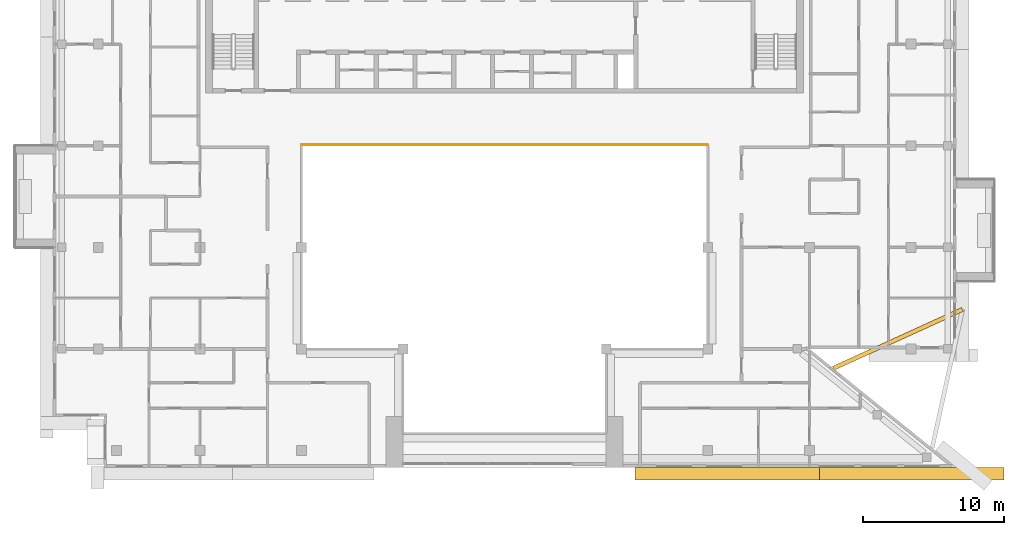
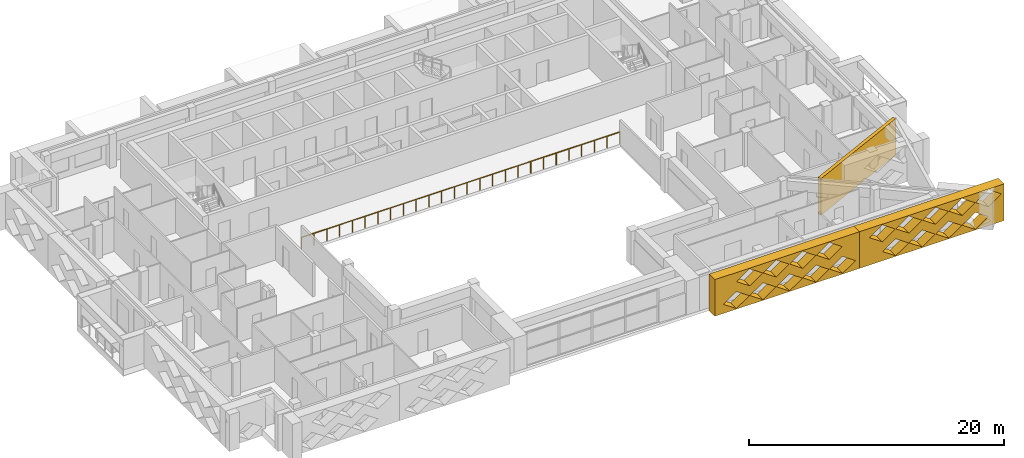
# One storey, part 14 of 18: 3 coverings, 1 railing.
"""IFC4 building model written with IfcOpenShell, lengths in metres."""

from ifc_helpers import new_model, si_unit, direction, frame, origin, origin_2d, place, context, subcontext, project, spatial, polyline, circle, outline, extrude, material, layer, layer_set, type_object, element, save


model = new_model("IFC4")

# Units and contexts
model_context = context("Model", 3, precision=1e-05, world=origin(), true_north=direction((0.0, 1.0)))
body_context = subcontext(model_context, "Body", "Model", "MODEL_VIEW")
ifc_project = project(units=[si_unit("LENGTHUNIT", "METRE"), si_unit("AREAUNIT", "SQUARE_METRE"), si_unit("VOLUMEUNIT", "CUBIC_METRE"), si_unit("PLANEANGLEUNIT", "RADIAN"), si_unit("MASSUNIT", "GRAM", prefix="KILO")], contexts=[model_context])

# Site, building, storey
site_placement = place(None, origin())
site = spatial("IfcSite", under=ifc_project, at=site_placement, CompositionType="ELEMENT")
building_placement = place(site_placement, origin())
building = spatial("IfcBuilding", under=site, at=building_placement, Name="Saffron Iwan Residences", CompositionType="ELEMENT")
storey_placement = place(building_placement, frame((0.0, 0.0, 257.0)))
storey = spatial("IfcBuildingStorey", under=building, at=storey_placement, Name="L69", CompositionType="ELEMENT", Elevation=257.0)

# Railing
ifc_material_1 = material(Name="Stainless steel 316", Category="steel")
railing_type = type_object("IfcRailingType", Name="Atrium guard 1150", PredefinedType="GUARDRAIL", material=ifc_material_1)
railing_placement = place(storey_placement, frame((36.0, 62.47509765625, 0.0)))
element("IfcRailing", 1, at=railing_placement, inside=storey, type_object=railing_type, Name="Atrium guard L69", PredefinedType="GUARDRAIL", context=body_context, shape_type="SweptSolid", body=[
    extrude(circle(Radius=0.02392578125, at=origin_2d()), frame((0.0, 0.0, 1.1259765625), z_axis=(1.0, 0.0, 0.0), x_axis=(0.0, 1.0, 0.0)), (0.0, 0.0, 1.0), 28.800048828125),
    extrude(circle(Radius=0.02099609375, at=origin_2d()), origin(), (0.0, 0.0, 1.0), 1.101806640625),
    extrude(circle(Radius=0.02099609375, at=origin_2d()), frame((1.152099609375, 0.0, 0.0)), (0.0, 0.0, 1.0), 1.101806640625),
    extrude(circle(Radius=0.02099609375, at=origin_2d()), frame((2.303955078125, 0.0, 0.0)), (0.0, 0.0, 1.0), 1.101806640625),
    extrude(circle(Radius=0.02099609375, at=origin_2d()), frame((3.4560546875, 0.0, 0.0)), (0.0, 0.0, 1.0), 1.101806640625),
    extrude(circle(Radius=0.02099609375, at=origin_2d()), frame((4.60791015625, 0.0, 0.0)), (0.0, 0.0, 1.0), 1.101806640625),
    extrude(circle(Radius=0.02099609375, at=origin_2d()), frame((5.760009765625, 0.0, 0.0)), (0.0, 0.0, 1.0), 1.101806640625),
    extrude(circle(Radius=0.02099609375, at=origin_2d()), frame((6.912109375, 0.0, 0.0)), (0.0, 0.0, 1.0), 1.101806640625),
    extrude(circle(Radius=0.02099609375, at=origin_2d()), frame((8.06396484375, 0.0, 0.0)), (0.0, 0.0, 1.0), 1.101806640625),
    extrude(circle(Radius=0.02099609375, at=origin_2d()), frame((9.216064453125, 0.0, 0.0)), (0.0, 0.0, 1.0), 1.101806640625),
    extrude(circle(Radius=0.02099609375, at=origin_2d()), frame((10.367919921875, 0.0, 0.0)), (0.0, 0.0, 1.0), 1.101806640625),
    extrude(circle(Radius=0.02099609375, at=origin_2d()), frame((11.52001953125, 0.0, 0.0)), (0.0, 0.0, 1.0), 1.101806640625),
    extrude(circle(Radius=0.02099609375, at=origin_2d()), frame((12.672119140625, 0.0, 0.0)), (0.0, 0.0, 1.0), 1.101806640625),
    extrude(circle(Radius=0.02099609375, at=origin_2d()), frame((13.823974609375, 0.0, 0.0)), (0.0, 0.0, 1.0), 1.101806640625),
    extrude(circle(Radius=0.02099609375, at=origin_2d()), frame((14.97607421875, 0.0, 0.0)), (0.0, 0.0, 1.0), 1.101806640625),
    extrude(circle(Radius=0.02099609375, at=origin_2d()), frame((16.1279296875, 0.0, 0.0)), (0.0, 0.0, 1.0), 1.101806640625),
    extrude(circle(Radius=0.02099609375, at=origin_2d()), frame((17.280029296875, 0.0, 0.0)), (0.0, 0.0, 1.0), 1.101806640625),
    extrude(circle(Radius=0.02099609375, at=origin_2d()), frame((18.43212890625, 0.0, 0.0)), (0.0, 0.0, 1.0), 1.101806640625),
    extrude(circle(Radius=0.02099609375, at=origin_2d()), frame((19.583984375, 0.0, 0.0)), (0.0, 0.0, 1.0), 1.101806640625),
    extrude(circle(Radius=0.02099609375, at=origin_2d()), frame((20.736083984375, 0.0, 0.0)), (0.0, 0.0, 1.0), 1.101806640625),
    extrude(circle(Radius=0.02099609375, at=origin_2d()), frame((21.887939453125, 0.0, 0.0)), (0.0, 0.0, 1.0), 1.101806640625),
    extrude(circle(Radius=0.02099609375, at=origin_2d()), frame((23.0400390625, 0.0, 0.0)), (0.0, 0.0, 1.0), 1.101806640625),
    extrude(circle(Radius=0.02099609375, at=origin_2d()), frame((24.192138671875, 0.0, 0.0)), (0.0, 0.0, 1.0), 1.101806640625),
    extrude(circle(Radius=0.02099609375, at=origin_2d()), frame((25.343994140625, 0.0, 0.0)), (0.0, 0.0, 1.0), 1.101806640625),
    extrude(circle(Radius=0.02099609375, at=origin_2d()), frame((26.49609375, 0.0, 0.0)), (0.0, 0.0, 1.0), 1.101806640625),
    extrude(circle(Radius=0.02099609375, at=origin_2d()), frame((27.64794921875, 0.0, 0.0)), (0.0, 0.0, 1.0), 1.101806640625),
    extrude(circle(Radius=0.02099609375, at=origin_2d()), frame((28.800048828125, 0.0, 0.0)), (0.0, 0.0, 1.0), 1.101806640625),
])

# Coverings
ifc_material_2 = material(Name="Precast concrete C40/50", Category="concrete")
covering_type_1 = type_object("IfcCoveringType", Name="OUTER SKIN LATTICE SCREEN", PredefinedType="CLADDING", material=ifc_material_2)
covering_1_placement = place(storey_placement, frame((59.64990234375, 39.60009765625, -0.280029296875), z_axis=(0.0, -1.0, 0.0), x_axis=(1.0, 0.0, 0.0)))
element("IfcCovering", 2, at=covering_1_placement, inside=storey, type_object=covering_type_1, Name="OUTER SKIN lattice screen L69 F11.2", PredefinedType="CLADDING", context=body_context, shape_type="SweptSolid", body=[
    extrude(outline(polyline([(0.0, 0.0), (13.07275390625, 0.0), (13.07275390625, 3.5), (0.0, 3.5), (0.0, 0.0)]), holes=[polyline([(0.77001953125, 0.875), (1.949951171875, 0.06005859375), (3.1298828125, 0.875), (1.949951171875, 1.68994140625), (0.77001953125, 0.875)]), polyline([(3.169921875, 0.875), (4.35009765625, 0.06005859375), (5.530029296875, 0.875), (4.35009765625, 1.68994140625), (3.169921875, 0.875)]), polyline([(5.570068359375, 0.875), (6.75, 0.06005859375), (7.929931640625, 0.875), (6.75, 1.68994140625), (5.570068359375, 0.875)]), polyline([(7.969970703125, 0.875), (9.14990234375, 0.06005859375), (10.330078125, 0.875), (9.14990234375, 1.68994140625), (7.969970703125, 0.875)]), polyline([(10.3701171875, 0.875), (11.550048828125, 0.06005859375), (12.72998046875, 0.875), (11.550048828125, 1.68994140625), (10.3701171875, 0.875)]), polyline([(1.969970703125, 2.625), (3.14990234375, 1.81005859375), (4.330078125, 2.625), (3.14990234375, 3.43994140625), (1.969970703125, 2.625)]), polyline([(4.3701171875, 2.625), (5.550048828125, 1.81005859375), (6.72998046875, 2.625), (5.550048828125, 3.43994140625), (4.3701171875, 2.625)]), polyline([(6.77001953125, 2.625), (7.949951171875, 1.81005859375), (9.1298828125, 2.625), (7.949951171875, 3.43994140625), (6.77001953125, 2.625)]), polyline([(9.169921875, 2.625), (10.35009765625, 1.81005859375), (11.530029296875, 2.625), (10.35009765625, 3.43994140625), (9.169921875, 2.625)])]), origin(), (0.0, 0.0, 1.0), 0.900146484375),
])
covering_2_placement = place(storey_placement, frame((72.72265625, 39.60009765625, -0.280029296875), z_axis=(0.0, -1.0, 0.0), x_axis=(1.0, 0.0, 0.0)))
element("IfcCovering", 3, at=covering_2_placement, inside=storey, type_object=covering_type_1, Name="OUTER SKIN lattice screen L69 F11.3", PredefinedType="CLADDING", context=body_context, shape_type="SweptSolid", body=[
    extrude(outline(polyline([(0.0, 0.0), (13.07275390625, 0.0), (13.07275390625, 3.5), (0.0, 3.5), (0.0, 0.0)]), holes=[polyline([(2.097412109375, 0.875), (3.27734375, 0.06005859375), (4.457275390625, 0.875), (3.27734375, 1.68994140625), (2.097412109375, 0.875)]), polyline([(4.497314453125, 0.875), (5.67724609375, 0.06005859375), (6.857421875, 0.875), (5.67724609375, 1.68994140625), (4.497314453125, 0.875)]), polyline([(6.897216796875, 0.875), (8.0771484375, 0.06005859375), (9.257080078125, 0.875), (8.0771484375, 1.68994140625), (6.897216796875, 0.875)]), polyline([(9.29736328125, 0.875), (10.477294921875, 0.06005859375), (11.6572265625, 0.875), (10.477294921875, 1.68994140625), (9.29736328125, 0.875)]), polyline([(0.897216796875, 2.625), (2.077392578125, 1.81005859375), (3.25732421875, 2.625), (2.077392578125, 3.43994140625), (0.897216796875, 2.625)]), polyline([(3.29736328125, 2.625), (4.477294921875, 1.81005859375), (5.6572265625, 2.625), (4.477294921875, 3.43994140625), (3.29736328125, 2.625)]), polyline([(5.697265625, 2.625), (6.877197265625, 1.81005859375), (8.057373046875, 2.625), (6.877197265625, 3.43994140625), (5.697265625, 2.625)]), polyline([(8.097412109375, 2.625), (9.27734375, 1.81005859375), (10.457275390625, 2.625), (9.27734375, 3.43994140625), (8.097412109375, 2.625)]), polyline([(10.497314453125, 2.625), (11.67724609375, 1.81005859375), (12.857421875, 2.625), (11.67724609375, 3.43994140625), (10.497314453125, 2.625)])]), origin(), (0.0, 0.0, 1.0), 0.900146484375),
])
ifc_material_3 = material(Name="Precast concrete C40/50 white painted", Category="concrete")
ifc_layer = layer(ifc_material_3, 0.300048828125)
ifc_layer_set = layer_set([ifc_layer], Name="Precast concrete C40/50 white painted")
covering_type_2 = type_object("IfcCoveringType", Name="PROW NOSE BLADE PRECAST WHITE", PredefinedType="CLADDING", material=ifc_layer_set)
covering_3_placement = place(storey_placement, frame((0.0, 0.0, -0.280029296875)))
element("IfcCovering", 4, at=covering_3_placement, inside=storey, type_object=covering_type_2, Name="Prow nose blade L69 b", PredefinedType="CLADDING", context=body_context, shape_type="SweptSolid", body=[
    extrude(outline(polyline([(73.761474609375, 46.490966796875), (82.917236328125, 50.6650390625), (82.792724609375, 50.93798828125), (73.636962890625, 46.763916015625), (73.761474609375, 46.490966796875)])), origin(), (0.0, 0.0, 1.0), 3.5),
])

save(model, "model.ifc")
